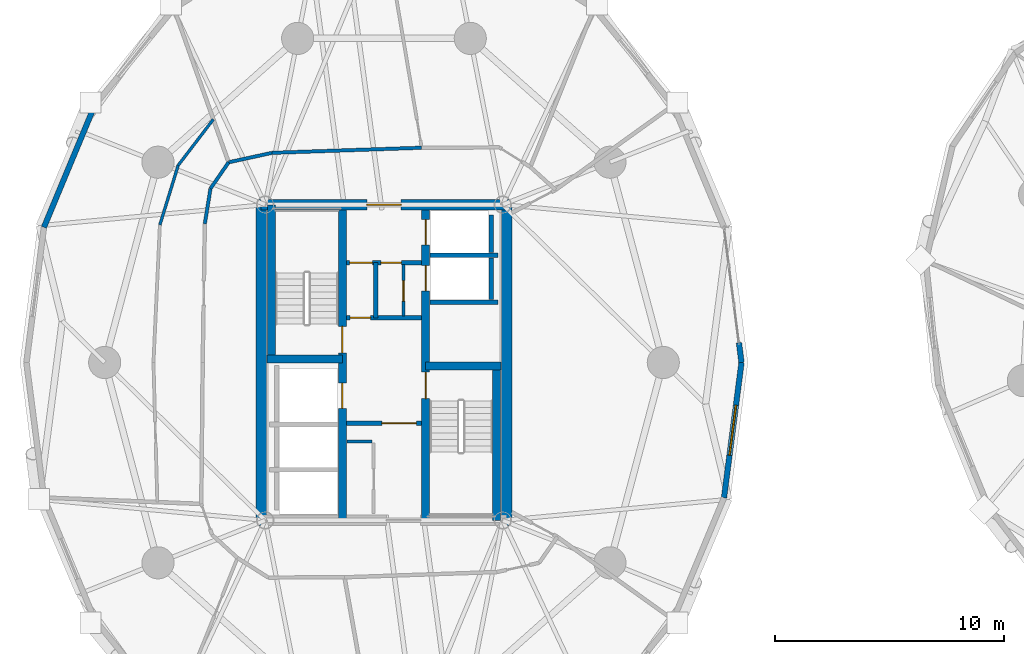
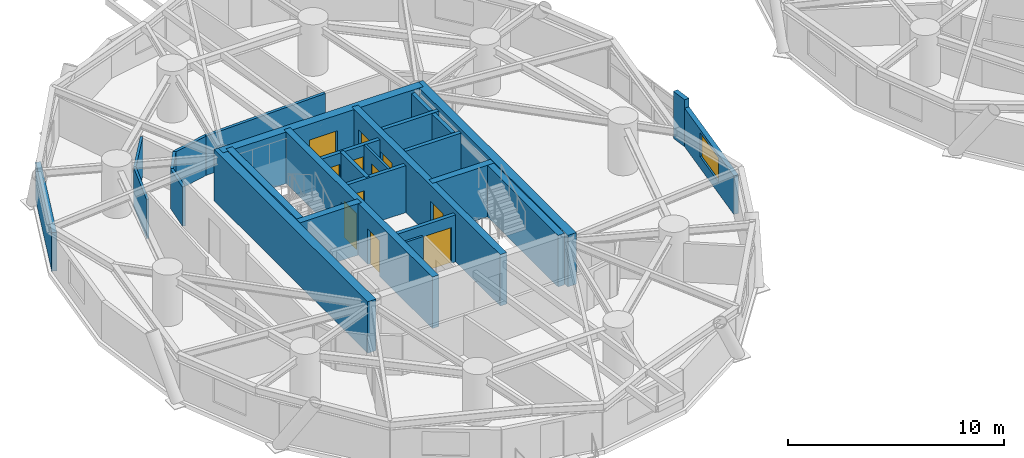
# One storey, part 11 of 18: 28 walls, 11 doors, 1 window, 12 openings.
"""IFC4 building model written with IfcOpenShell, lengths in metres."""

from ifc_helpers import new_model, si_unit, direction, frame, frame_2d, origin, place, context, subcontext, project, spatial, rectangle, extrude, source, transform, mapped, material, layer, layer_set, type_object, element, fill, save


model = new_model("IFC4")

# Units and contexts
model_context = context("Model", 3, precision=1e-05, world=origin(), true_north=direction((0.0, 1.0)))
body_context = subcontext(model_context, "Body", "Model", "MODEL_VIEW")
ifc_project = project(units=[si_unit("LENGTHUNIT", "METRE"), si_unit("AREAUNIT", "SQUARE_METRE"), si_unit("VOLUMEUNIT", "CUBIC_METRE"), si_unit("PLANEANGLEUNIT", "RADIAN"), si_unit("MASSUNIT", "GRAM", prefix="KILO")], contexts=[model_context])

# Site, building, storey
site_placement = place(None, origin())
site = spatial("IfcSite", under=ifc_project, at=site_placement, CompositionType="ELEMENT")
building_placement = place(site_placement, origin())
building = spatial("IfcBuilding", under=site, at=building_placement, Name="Cununo Teusaquillo Station Towers", CompositionType="ELEMENT")
storey_placement = place(building_placement, frame((0.0, 0.0, 119.6201171875)))
storey = spatial("IfcBuildingStorey", under=building, at=storey_placement, Name="L38", CompositionType="ELEMENT", Elevation=119.6201171875)

# Walls
ifc_material_1 = material(Name="Concrete C50/60", Category="concrete")
ifc_layer_1 = layer(ifc_material_1, 0.199951171875)
ifc_layer_set_1 = layer_set([ifc_layer_1], Name="Concrete C50/60")
wall_type_1 = type_object("IfcWallType", Name="WL-CORE-200", PredefinedType="SHEAR", material=ifc_layer_set_1)
for number, where, z_axis, x_axis, name in (
    (1, (18.510009765625, 27.1298828125, 0.0), (0.0, 0.0, 1.0), (1.0, 0.0, 0.0), "L38 Tower A Low-Rise Lift Hoistway South Shear Wall"),
    (2, (18.510009765625, 29.175048828125, 0.0), (0.0, 0.0, 1.0), (1.0, 0.0, 0.0), "L38 Tower A Low-Rise Lift Hoistway Divider Shear Wall"),
):
    element("IfcWall", number, at=place(storey_placement, frame(where, z_axis=z_axis, x_axis=x_axis)), inside=storey, type_object=wall_type_1, Name=name, PredefinedType="SHEAR", context=body_context, shape_type="SweptSolid", body=[
        extrude(rectangle(XDim=2.969970703125, YDim=0.199951171875, at=frame_2d((1.48486328125, 0.0))), origin(), (0.0, 0.0, 1.0), 2.909912109375),
    ])
wall_1_placement = place(storey_placement, frame((21.179931640625, 27.25, 0.0), z_axis=(0.0, 0.0, 1.0), x_axis=(0.0, 1.0, 0.0)))
element("IfcWall", 3, at=wall_1_placement, inside=storey, type_object=wall_type_1, Name="L38 Tower A Low-Rise Lift 1 Shaft Rear Shear Wall", PredefinedType="SHEAR", context=body_context, shape_type="SweptSolid", body=[
    extrude(rectangle(XDim=1.804931640625, YDim=0.199951171875, at=frame_2d((0.90234375, 0.0))), origin(), (0.0, 0.0, 1.0), 2.909912109375),
])
wall_2_placement = place(storey_placement, frame((21.179931640625, 29.294921875, 0.0), z_axis=(0.0, 0.0, 1.0), x_axis=(0.0, 1.0, 0.0)))
element("IfcWall", 4, at=wall_2_placement, inside=storey, type_object=wall_type_1, Name="L38 Tower A Low-Rise Lift 2 Shaft Rear Shear Wall", PredefinedType="SHEAR", context=body_context, shape_type="SweptSolid", body=[
    extrude(rectangle(XDim=1.635009765625, YDim=0.199951171875, at=frame_2d((0.8173828125, 0.0))), origin(), (0.0, 0.0, 1.0), 2.909912109375),
])

# Wall, openings, doors
ifc_material_2 = material(Name="Concrete C50/60", Category="concrete")
ifc_layer_2 = layer(ifc_material_2, 0.35009765625)
ifc_layer_set_2 = layer_set([ifc_layer_2], Name="Concrete C50/60")
wall_type_2 = type_object("IfcWallType", Name="WL-CORE-350", PredefinedType="SHEAR", material=ifc_layer_set_2)
wall_3_placement = place(storey_placement, frame((14.68505859375, 17.625, 0.0), z_axis=(0.0, 0.0, 1.0), x_axis=(0.0, 1.0, 0.0)))
wall_3 = element("IfcWall", 5, at=wall_3_placement, inside=storey, type_object=wall_type_2, Name="L38 Tower A Core Shear Wall IW", PredefinedType="SHEAR", context=body_context, shape_type="SweptSolid", body=[
    extrude(rectangle(XDim=13.75, YDim=0.35009765625, at=frame_2d((6.875, 0.0))), origin(), (0.0, 0.0, 1.0), 2.909912109375),
])
shared_shape_1 = source(origin(), body_context, "Body", "SweptSolid", [
    extrude(rectangle(XDim=1.10009765625, YDim=2.014892578125, at=frame_2d((0.550048828125, 1.00732421875))), frame((0.0, 0.18505859375, 0.0), z_axis=(0.0, -1.0, 0.0), x_axis=(1.0, 0.0, 0.0)), (0.0, 0.0, 1.0), 0.3701171875),
])
opening_1_placement = place(wall_3_placement, frame((4.875, 0.0, 0.0)))
opening_1 = element("IfcOpeningElement", 6, at=opening_1_placement, cuts=wall_3, Name="Opening LD-01", PredefinedType="OPENING", context=body_context, shape_type="MappedRepresentation", body=[
    mapped(shared_shape_1, transform((0.0, 0.0, 0.0), x_axis=(1.0, 0.0, 0.0), y_axis=(0.0, 1.0, 0.0), z_axis=(0.0, 0.0, 1.0), scale=1.0)),
])
shared_shape_2 = source(origin(), body_context, "Body", "SweptSolid", [
    extrude(rectangle(XDim=1.14990234375, YDim=2.02001953125, at=frame_2d((0.574951171875, 1.010009765625))), frame((0.0, 0.18505859375, 0.0), z_axis=(0.0, -1.0, 0.0), x_axis=(1.0, 0.0, 0.0)), (0.0, 0.0, 1.0), 0.3701171875),
])
opening_2_placement = place(wall_3_placement, frame((7.294921875, 0.0, 0.0)))
opening_2 = element("IfcOpeningElement", 7, at=opening_2_placement, cuts=wall_3, Name="Opening D-ST1", PredefinedType="OPENING", context=body_context, shape_type="MappedRepresentation", body=[
    mapped(shared_shape_2, transform((0.0, 0.0, 0.0), x_axis=(1.0, 0.0, 0.0), y_axis=(0.0, 1.0, 0.0), z_axis=(0.0, 0.0, 1.0), scale=1.0)),
])
ifc_material_3 = material(Name="Galvanised fire-rated hollow steel door assembly", Category="steel")
door_type_1 = type_object("IfcDoorType", Name="DR-LIFT-1100", OperationType="SLIDING_TO_LEFT", PredefinedType="DOOR", material=ifc_material_3)
shared_shape_3 = source(origin(), body_context, "Body", "SweptSolid", [
    extrude(rectangle(XDim=1.10009765625, YDim=2.014892578125, at=frame_2d((0.550048828125, 1.00732421875))), frame((0.0, 0.02490234375, 0.0), z_axis=(0.0, -1.0, 0.0), x_axis=(1.0, 0.0, 0.0)), (0.0, 0.0, 1.0), 0.050048828125),
])
door_1_placement = place(opening_1_placement, origin())
door_1 = element("IfcDoor", 8, at=door_1_placement, inside=storey, type_object=door_type_1, Name="L38 Lift FL-T1 Sliding Landing Door", OperationType="SLIDING_TO_LEFT", OverallHeight=2.014892578125, OverallWidth=1.10009765625, PredefinedType="DOOR", context=body_context, shape_type="MappedRepresentation", body=[
    mapped(shared_shape_3, transform((0.0, 0.0, 0.0), x_axis=(1.0, 0.0, 0.0), y_axis=(0.0, 1.0, 0.0), z_axis=(0.0, 0.0, 1.0), scale=1.0)),
])
fill(opening_1, door_1)
ifc_material_4 = material(Name="Galvanised fire-rated hollow steel door assembly", Category="steel")
door_type_2 = type_object("IfcDoorType", Name="DR-STAIR-1150", OperationType="NOTDEFINED", PredefinedType="DOOR", material=ifc_material_4)
shared_shape_4 = source(origin(), body_context, "Body", "SweptSolid", [
    extrude(rectangle(XDim=1.14990234375, YDim=2.02001953125, at=frame_2d((0.574951171875, 1.010009765625))), frame((0.0, 0.02490234375, 0.0), z_axis=(0.0, -1.0, 0.0), x_axis=(1.0, 0.0, 0.0)), (0.0, 0.0, 1.0), 0.050048828125),
])
door_2_placement = place(opening_2_placement, origin())
door_2 = element("IfcDoor", 9, at=door_2_placement, inside=storey, type_object=door_type_2, Name="L38 Tower A Exit Stair 1 Fire Door", OperationType="SINGLE_SWING_RIGHT", OverallHeight=2.02001953125, OverallWidth=1.14990234375, PredefinedType="DOOR", context=body_context, shape_type="MappedRepresentation", body=[
    mapped(shared_shape_4, transform((0.0, 0.0, 0.0), x_axis=(1.0, 0.0, 0.0), y_axis=(0.0, 1.0, 0.0), z_axis=(0.0, 0.0, 1.0), scale=1.0)),
])
fill(opening_2, door_2)

wall_4_placement = place(storey_placement, frame((18.31494140625, 17.625, 0.0), z_axis=(0.0, 0.0, 1.0), x_axis=(0.0, 1.0, 0.0)))
wall_4 = element("IfcWall", 10, at=wall_4_placement, inside=storey, type_object=wall_type_2, Name="L38 Tower A Core Shear Wall IE", PredefinedType="SHEAR", context=body_context, shape_type="SweptSolid", body=[
    extrude(rectangle(XDim=13.75, YDim=0.35009765625, at=frame_2d((6.875, 0.0))), origin(), (0.0, 0.0, 1.0), 2.909912109375),
])
opening_3_placement = place(wall_4_placement, frame((10.0, 0.0, 0.0)))
opening_3 = element("IfcOpeningElement", 11, at=opening_3_placement, cuts=wall_4, Name="Opening LD-01", PredefinedType="OPENING", context=body_context, shape_type="MappedRepresentation", body=[
    mapped(shared_shape_1, transform((0.0, 0.0, 0.0), x_axis=(1.0, 0.0, 0.0), y_axis=(0.0, 1.0, 0.0), z_axis=(0.0, 0.0, 1.0), scale=1.0)),
])
opening_4_placement = place(wall_4_placement, frame((12.0, 0.0, 0.0)))
opening_4 = element("IfcOpeningElement", 12, at=opening_4_placement, cuts=wall_4, Name="Opening LD-01", PredefinedType="OPENING", context=body_context, shape_type="MappedRepresentation", body=[
    mapped(shared_shape_1, transform((0.0, 0.0, 0.0), x_axis=(1.0, 0.0, 0.0), y_axis=(0.0, 1.0, 0.0), z_axis=(0.0, 0.0, 1.0), scale=1.0)),
])
opening_5_placement = place(wall_4_placement, frame((5.304931640625, 0.0, 0.0)))
opening_5 = element("IfcOpeningElement", 13, at=opening_5_placement, cuts=wall_4, Name="Opening D-ST1", PredefinedType="OPENING", context=body_context, shape_type="MappedRepresentation", body=[
    mapped(shared_shape_2, transform((0.0, 0.0, 0.0), x_axis=(1.0, 0.0, 0.0), y_axis=(0.0, 1.0, 0.0), z_axis=(0.0, 0.0, 1.0), scale=1.0)),
])
door_3_placement = place(opening_3_placement, origin())
door_3 = element("IfcDoor", 14, at=door_3_placement, inside=storey, type_object=door_type_1, Name="L38 Lift PL-T1-L1 Sliding Landing Door", OperationType="SLIDING_TO_LEFT", OverallHeight=2.014892578125, OverallWidth=1.10009765625, PredefinedType="DOOR", context=body_context, shape_type="MappedRepresentation", body=[
    mapped(shared_shape_3, transform((0.0, 0.0, 0.0), x_axis=(1.0, 0.0, 0.0), y_axis=(0.0, 1.0, 0.0), z_axis=(0.0, 0.0, 1.0), scale=1.0)),
])
fill(opening_3, door_3)
door_4_placement = place(opening_4_placement, origin())
door_4 = element("IfcDoor", 15, at=door_4_placement, inside=storey, type_object=door_type_1, Name="L38 Lift PL-T1-L2 Sliding Landing Door", OperationType="SLIDING_TO_RIGHT", OverallHeight=2.014892578125, OverallWidth=1.10009765625, PredefinedType="DOOR", context=body_context, shape_type="MappedRepresentation", body=[
    mapped(shared_shape_3, transform((0.0, 0.0, 0.0), x_axis=(1.0, 0.0, 0.0), y_axis=(0.0, 1.0, 0.0), z_axis=(0.0, 0.0, 1.0), scale=1.0)),
])
fill(opening_4, door_4)
door_5_placement = place(opening_5_placement, origin())
door_5 = element("IfcDoor", 16, at=door_5_placement, inside=storey, type_object=door_type_2, Name="L38 Tower A Exit Stair 2 Fire Door", OperationType="SINGLE_SWING_LEFT", OverallHeight=2.02001953125, OverallWidth=1.14990234375, PredefinedType="DOOR", context=body_context, shape_type="MappedRepresentation", body=[
    mapped(shared_shape_4, transform((0.0, 0.0, 0.0), x_axis=(1.0, 0.0, 0.0), y_axis=(0.0, 1.0, 0.0), z_axis=(0.0, 0.0, 1.0), scale=1.0)),
])
fill(opening_5, door_5)

# Walls
wall_5_placement = place(storey_placement, frame((11.594970703125, 24.655029296875, 0.0), z_axis=(0.0, 0.0, 1.0), x_axis=(0.0, 1.0, 0.0)))
element("IfcWall", 17, at=wall_5_placement, inside=storey, type_object=wall_type_2, Name="L38 Tower A Core Shear Wall ST1W", PredefinedType="SHEAR", context=body_context, shape_type="SweptSolid", body=[
    extrude(rectangle(XDim=6.719970703125, YDim=0.35009765625, at=frame_2d((3.35986328125, 0.0))), origin(), (0.0, 0.0, 1.0), 2.909912109375),
])
wall_6_placement = place(storey_placement, frame((11.39990234375, 24.655029296875, 0.0), z_axis=(0.0, 0.0, 1.0), x_axis=(1.0, 0.0, 0.0)))
element("IfcWall", 18, at=wall_6_placement, inside=storey, type_object=wall_type_2, Name="L38 Tower A Core Shear Wall ST1S", PredefinedType="SHEAR", context=body_context, shape_type="SweptSolid", body=[
    extrude(rectangle(XDim=3.28515625, YDim=0.35009765625, at=frame_2d((1.642578125, 0.0))), origin(), (0.0, 0.0, 1.0), 2.909912109375),
])
wall_7_placement = place(storey_placement, frame((21.405029296875, 17.625, 0.0), z_axis=(0.0, 0.0, 1.0), x_axis=(0.0, 1.0, 0.0)))
element("IfcWall", 19, at=wall_7_placement, inside=storey, type_object=wall_type_2, Name="L38 Tower A Core Shear Wall ST2E", PredefinedType="SHEAR", context=body_context, shape_type="SweptSolid", body=[
    extrude(rectangle(XDim=6.719970703125, YDim=0.35009765625, at=frame_2d((3.35986328125, 0.0))), origin(), (0.0, 0.0, 1.0), 2.909912109375),
])
wall_8_placement = place(storey_placement, frame((18.31494140625, 24.344970703125, 0.0), z_axis=(0.0, 0.0, 1.0), x_axis=(1.0, 0.0, 0.0)))
element("IfcWall", 20, at=wall_8_placement, inside=storey, type_object=wall_type_2, Name="L38 Tower A Core Shear Wall ST2N", PredefinedType="SHEAR", context=body_context, shape_type="SweptSolid", body=[
    extrude(rectangle(XDim=3.28515625, YDim=0.35009765625, at=frame_2d((1.642578125, 0.0))), origin(), (0.0, 0.0, 1.0), 2.909912109375),
])
ifc_material_5 = material(Name="Concrete C60/75", Category="concrete")
ifc_layer_3 = layer(ifc_material_5, 0.449951171875)
ifc_layer_set_3 = layer_set([ifc_layer_3], Name="Concrete C60/75")
wall_type_3 = type_object("IfcWallType", Name="WL-CORE-450", PredefinedType="SHEAR", material=ifc_layer_set_3)
for number, where, z_axis, x_axis, name in (
    (21, (11.14990234375, 17.39990234375, 0.0), (0.0, 0.0, 1.0), (0.0, 1.0, 0.0), "L38 Tower A Core Shear Wall W"),
    (22, (21.85009765625, 17.39990234375, 0.0), (0.0, 0.0, 1.0), (0.0, 1.0, 0.0), "L38 Tower A Core Shear Wall E"),
):
    element("IfcWall", number, at=place(storey_placement, frame(where, z_axis=z_axis, x_axis=x_axis)), inside=storey, type_object=wall_type_3, Name=name, PredefinedType="SHEAR", context=body_context, shape_type="SweptSolid", body=[
        extrude(rectangle(XDim=14.2001953125, YDim=0.449951171875, at=frame_2d((7.10009765625, 0.0))), origin(), (0.0, 0.0, 1.0), 2.909912109375),
    ])

# Wall, opening, door
wall_9_placement = place(storey_placement, frame((11.14990234375, 31.375, 0.0), z_axis=(0.0, 0.0, 1.0), x_axis=(1.0, 0.0, 0.0)))
wall_9 = element("IfcWall", 23, at=wall_9_placement, inside=storey, type_object=wall_type_3, Name="L38 Tower A Core Shear Wall N", PredefinedType="SHEAR", context=body_context, shape_type="SweptSolid", body=[
    extrude(rectangle(XDim=10.7001953125, YDim=0.449951171875, at=frame_2d((5.35009765625, 0.0))), origin(), (0.0, 0.0, 1.0), 2.909912109375),
])
shared_shape_5 = source(origin(), body_context, "Body", "SweptSolid", [
    extrude(rectangle(XDim=1.5, YDim=2.02001953125, at=frame_2d((0.75, 1.010009765625))), frame((0.0, 0.23486328125, 0.0), z_axis=(0.0, -1.0, 0.0), x_axis=(1.0, 0.0, 0.0)), (0.0, 0.0, 1.0), 0.469970703125),
])
opening_6_placement = place(wall_9_placement, frame((4.60009765625, 0.0, 0.0)))
opening_6 = element("IfcOpeningElement", 24, at=opening_6_placement, cuts=wall_9, Name="Opening D-LB1", PredefinedType="OPENING", context=body_context, shape_type="MappedRepresentation", body=[
    mapped(shared_shape_5, transform((0.0, 0.0, 0.0), x_axis=(1.0, 0.0, 0.0), y_axis=(0.0, 1.0, 0.0), z_axis=(0.0, 0.0, 1.0), scale=1.0)),
])
ifc_material_6 = material(Name="Galvanised fire-rated hollow steel door assembly", Category="steel")
door_type_3 = type_object("IfcDoorType", Name="DR-LOBBY-1500", OperationType="DOUBLE_DOOR_SINGLE_SWING", PredefinedType="DOOR", material=ifc_material_6)
shared_shape_6 = source(origin(), body_context, "Body", "SweptSolid", [
    extrude(rectangle(XDim=1.5, YDim=2.02001953125, at=frame_2d((0.75, 1.010009765625))), frame((0.0, 0.02490234375, 0.0), z_axis=(0.0, -1.0, 0.0), x_axis=(1.0, 0.0, 0.0)), (0.0, 0.0, 1.0), 0.050048828125),
])
door_6_placement = place(opening_6_placement, origin())
door_6 = element("IfcDoor", 25, at=door_6_placement, inside=storey, type_object=door_type_3, Name="L38 Tower A North Core Lift Lobby Door", OperationType="DOUBLE_DOOR_SINGLE_SWING", OverallHeight=2.02001953125, OverallWidth=1.5, PredefinedType="DOOR", context=body_context, shape_type="MappedRepresentation", body=[
    mapped(shared_shape_6, transform((0.0, 0.0, 0.0), x_axis=(1.0, 0.0, 0.0), y_axis=(0.0, 1.0, 0.0), z_axis=(0.0, 0.0, 1.0), scale=1.0)),
])
fill(opening_6, door_6)

# Walls
ifc_material_7 = material(Name="Precast concrete C40/50", Category="concrete")
ifc_layer_4 = layer(ifc_material_7, 0.239990234375)
ifc_layer_set_4 = layer_set([ifc_layer_4], Name="Precast concrete C40/50")
wall_type_4 = type_object("IfcWallType", Name="WL-EXT-240", PredefinedType="SOLIDWALL", material=ifc_layer_set_4)
wall_10_placement = place(storey_placement, frame((31.96923828125, 25.36279296875, 0.0), z_axis=(0.0, 0.0, 1.0), x_axis=(0.128523364007, -0.991706481225, 0.0)))
element("IfcWall", 26, at=wall_10_placement, inside=storey, type_object=wall_type_4, Name="L38 Tower A Column Pier Cladding Wall C00-PB", PredefinedType="SOLIDWALL", context=body_context, shape_type="SweptSolid", body=[
    extrude(rectangle(XDim=0.8701171875, YDim=0.239990234375, at=frame_2d((0.43505859375, 0.0))), origin(), (0.0, 0.0, 1.0), 2.65478515625),
])
wall_11_placement = place(storey_placement, frame((1.681640625, 30.39306640625, 0.0), z_axis=(0.0, 0.0, 1.0), x_axis=(0.384344417632, 0.923189779317, 0.0)))
element("IfcWall", 27, at=wall_11_placement, inside=storey, type_object=wall_type_4, Name="L38 Tower A Exterior Facade Wall C08", PredefinedType="SOLIDWALL", context=body_context, shape_type="SweptSolid", body=[
    extrude(rectangle(XDim=5.75830078125, YDim=0.239990234375, at=frame_2d((2.879150390625, 0.0))), origin(), (0.0, 0.0, 1.0), 2.178955078125),
])

# Wall, opening, window
wall_12_placement = place(storey_placement, frame((32.0810546875, 24.5, 0.0), z_axis=(0.0, 0.0, 1.0), x_axis=(-0.128351991996, -0.991728675672, 0.0)))
wall_12 = element("IfcWall", 28, at=wall_12_placement, inside=storey, type_object=wall_type_4, Name="L38 Tower A Exterior Facade Wall C19", PredefinedType="SOLIDWALL", context=body_context, shape_type="SweptSolid", body=[
    extrude(rectangle(XDim=5.942138671875, YDim=0.239990234375, at=frame_2d((2.97119140625, 0.0))), origin(), (0.0, 0.0, 1.0), 2.178955078125),
])
shared_shape_7 = source(origin(), body_context, "Body", "SweptSolid", [
    extrude(rectangle(XDim=2.199951171875, YDim=1.35009765625, at=frame_2d((1.10009765625, 0.675048828125))), frame((0.0, 0.1298828125, 0.0), z_axis=(0.0, -1.0, 0.0), x_axis=(1.0, 0.0, 0.0)), (0.0, 0.0, 1.0), 0.260009765625),
])
opening_7_placement = place(wall_12_placement, frame((1.87109375, 0.0, 0.64990234375)))
opening_7 = element("IfcOpeningElement", 29, at=opening_7_placement, cuts=wall_12, Name="Opening WN-01", PredefinedType="OPENING", context=body_context, shape_type="MappedRepresentation", body=[
    mapped(shared_shape_7, transform((0.0, 0.0, 0.0), x_axis=(1.0, 0.0, 0.0), y_axis=(0.0, 1.0, 0.0), z_axis=(0.0, 0.0, 1.0), scale=1.0)),
])
ifc_material_8 = material(Name="Ceramic-fritted dark low-E double glazing", Category="glass")
window_type = type_object("IfcWindowType", Name="WIN-FRIT-2200", PartitioningType="DOUBLE_PANEL_VERTICAL", PredefinedType="WINDOW", material=ifc_material_8)
shared_shape_8 = source(origin(), body_context, "Body", "SweptSolid", [
    extrude(rectangle(XDim=2.199951171875, YDim=1.35009765625, at=frame_2d((1.10009765625, 0.675048828125))), frame((0.0, 0.030029296875, 0.0), z_axis=(0.0, -1.0, 0.0), x_axis=(1.0, 0.0, 0.0)), (0.0, 0.0, 1.0), 0.06005859375),
])
window_placement = place(opening_7_placement, origin())
window = element("IfcWindow", 30, at=window_placement, inside=storey, type_object=window_type, Name="L38 Tower A Facade Window C19", OverallHeight=1.35009765625, OverallWidth=2.199951171875, PartitioningType="DOUBLE_PANEL_VERTICAL", PredefinedType="WINDOW", context=body_context, shape_type="MappedRepresentation", body=[
    mapped(shared_shape_8, transform((0.0, 0.0, 0.0), x_axis=(1.0, 0.0, 0.0), y_axis=(0.0, 1.0, 0.0), z_axis=(0.0, 0.0, 1.0), scale=1.0)),
])
fill(opening_7, window)

# Wall
ifc_material_9 = material(Name="Fire-rated gypsum plasterboard partition assembly", Category="gypsum")
ifc_layer_5 = layer(ifc_material_9, 0.125)
ifc_layer_set_5 = layer_set([ifc_layer_5], Name="Fire-rated gypsum plasterboard partition assembly")
wall_type_5 = type_object("IfcWallType", Name="WL-PART-125", PredefinedType="PARTITIONING", material=ifc_layer_set_5)
wall_13_placement = place(storey_placement, frame((14.8798828125, 21.050048828125, 0.0), z_axis=(0.0, 0.0, 1.0), x_axis=(1.0, 0.0, 0.0)))
element("IfcWall", 31, at=wall_13_placement, inside=storey, type_object=wall_type_5, Name="L38 Tower A South-West Tall Store North Wall", PredefinedType="PARTITIONING", context=body_context, shape_type="SweptSolid", body=[
    extrude(rectangle(XDim=1.10009765625, YDim=0.125, at=frame_2d((0.550048828125, 0.0))), origin(), (0.0, 0.0, 1.0), 2.65478515625),
])

# Wall, opening, door
wall_14_placement = place(storey_placement, frame((17.35009765625, 26.52001953125, 0.0), z_axis=(0.0, 0.0, 1.0), x_axis=(0.0, 1.0, 0.0)))
wall_14 = element("IfcWall", 32, at=wall_14_placement, inside=storey, type_object=wall_type_5, Name="L38 Tower A Core Vertical Split Wall", PredefinedType="PARTITIONING", context=body_context, shape_type="SweptSolid", body=[
    extrude(rectangle(XDim=2.260009765625, YDim=0.125, at=frame_2d((1.1298828125, 0.0))), origin(), (0.0, 0.0, 1.0), 2.65478515625),
])
shared_shape_9 = source(origin(), body_context, "Body", "SweptSolid", [
    extrude(rectangle(XDim=0.89990234375, YDim=2.0048828125, at=frame_2d((0.449951171875, 1.00244140625))), frame((0.0, 0.072509765625, 0.0), z_axis=(0.0, -1.0, 0.0), x_axis=(1.0, 0.0, 0.0)), (0.0, 0.0, 1.0), 0.14501953125),
])
opening_8_placement = place(wall_14_placement, frame((0.64990234375, 0.0, 0.0)))
opening_8 = element("IfcOpeningElement", 33, at=opening_8_placement, cuts=wall_14, Name="Opening D-SR1", PredefinedType="OPENING", context=body_context, shape_type="MappedRepresentation", body=[
    mapped(shared_shape_9, transform((0.0, 0.0, 0.0), x_axis=(1.0, 0.0, 0.0), y_axis=(0.0, 1.0, 0.0), z_axis=(0.0, 0.0, 1.0), scale=1.0)),
])
ifc_material_10 = material(Name="Galvanised fire-rated hollow steel door assembly", Category="steel")
door_type_4 = type_object("IfcDoorType", Name="DR-STORE-900", OperationType="NOTDEFINED", PredefinedType="DOOR", material=ifc_material_10)
shared_shape_10 = source(origin(), body_context, "Body", "SweptSolid", [
    extrude(rectangle(XDim=0.89990234375, YDim=2.0048828125, at=frame_2d((0.449951171875, 1.00244140625))), frame((0.0, 0.02490234375, 0.0), z_axis=(0.0, -1.0, 0.0), x_axis=(1.0, 0.0, 0.0)), (0.0, 0.0, 1.0), 0.050048828125),
])
door_7_placement = place(opening_8_placement, origin())
door_7 = element("IfcDoor", 34, at=door_7_placement, inside=storey, type_object=door_type_4, Name="L38 Tower A Core Electrical Room Door", OperationType="SINGLE_SWING_RIGHT", OverallHeight=2.0048828125, OverallWidth=0.89990234375, PredefinedType="DOOR", context=body_context, shape_type="MappedRepresentation", body=[
    mapped(shared_shape_10, transform((0.0, 0.0, 0.0), x_axis=(1.0, 0.0, 0.0), y_axis=(0.0, 1.0, 0.0), z_axis=(0.0, 0.0, 1.0), scale=1.0)),
])
fill(opening_8, door_7)

# Walls
wall_15_placement = place(storey_placement, frame((9.064208984375, 35.09716796875, 0.0), z_axis=(0.0, 0.0, 1.0), x_axis=(-0.607126893664, -0.794604892377, 0.0)))
element("IfcWall", 35, at=wall_15_placement, inside=storey, type_object=wall_type_5, Name="L38 Tower A Corporate Strategy Boardroom Concentric Partition Wall C07", PredefinedType="PARTITIONING", context=body_context, shape_type="SweptSolid", body=[
    extrude(rectangle(XDim=2.523681640625, YDim=0.125, at=frame_2d((1.26171875, 0.0))), origin(), (0.0, 0.0, 1.0), 2.178955078125),
])
wall_16_placement = place(storey_placement, frame((7.531982421875, 33.091796875, 0.0), z_axis=(0.0, 0.0, 1.0), x_axis=(-0.293965637063, -0.955815988685, 0.0)))
element("IfcWall", 36, at=wall_16_placement, inside=storey, type_object=wall_type_5, Name="L38 Tower A Corporate Strategy Boardroom Concentric Partition Wall C08", PredefinedType="PARTITIONING", context=body_context, shape_type="SweptSolid", body=[
    extrude(rectangle(XDim=2.711669921875, YDim=0.125, at=frame_2d((1.35595703125, 0.0))), origin(), (0.0, 0.0, 1.0), 2.224853515625),
])
ifc_material_11 = material(Name="Fire-rated gypsum plasterboard partition assembly", Category="gypsum")
ifc_layer_6 = layer(ifc_material_11, 0.14990234375)
ifc_layer_set_6 = layer_set([ifc_layer_6], Name="Fire-rated gypsum plasterboard partition assembly")
wall_type_6 = type_object("IfcWallType", Name="WL-PART-150", PredefinedType="PARTITIONING", material=ifc_layer_set_6)
wall_17_placement = place(storey_placement, frame((18.142822265625, 33.859619140625, 0.0), z_axis=(0.0, 0.0, 1.0), x_axis=(-0.999419208319, -0.034077060363, 0.0)))
element("IfcWall", 37, at=wall_17_placement, inside=storey, type_object=wall_type_6, Name="L38 Tower A Corridor Ring Wall C05", PredefinedType="PARTITIONING", context=body_context, shape_type="SweptSolid", body=[
    extrude(rectangle(XDim=6.52685546875, YDim=0.14990234375, at=frame_2d((3.263427734375, 0.0))), origin(), (0.0, 0.0, 1.0), 2.224853515625),
])
wall_18_placement = place(storey_placement, frame((11.619873046875, 33.63720703125, 0.0), z_axis=(0.0, 0.0, 1.0), x_axis=(-0.97702579435, -0.213121085711, 0.0)))
element("IfcWall", 38, at=wall_18_placement, inside=storey, type_object=wall_type_6, Name="L38 Tower A Corridor Ring Wall C06", PredefinedType="PARTITIONING", context=body_context, shape_type="SweptSolid", body=[
    extrude(rectangle(XDim=1.934814453125, YDim=0.14990234375, at=frame_2d((0.96728515625, 0.0))), origin(), (0.0, 0.0, 1.0), 2.224853515625),
])
wall_19_placement = place(storey_placement, frame((9.7294921875, 33.224853515625, 0.0), z_axis=(0.0, 0.0, 1.0), x_axis=(-0.567183649484, -0.82359134755, 0.0)))
element("IfcWall", 39, at=wall_19_placement, inside=storey, type_object=wall_type_6, Name="L38 Tower A Corridor Ring Wall C07", PredefinedType="PARTITIONING", context=body_context, shape_type="SweptSolid", body=[
    extrude(rectangle(XDim=1.39208984375, YDim=0.14990234375, at=frame_2d((0.696044921875, 0.0))), origin(), (0.0, 0.0, 1.0), 2.224853515625),
])
wall_20_placement = place(storey_placement, frame((8.93994140625, 32.078369140625, 0.0), z_axis=(0.0, 0.0, 1.0), x_axis=(-0.159148467753, -0.98725466077, 0.0)))
element("IfcWall", 40, at=wall_20_placement, inside=storey, type_object=wall_type_6, Name="L38 Tower A Corridor Ring Wall C08", PredefinedType="PARTITIONING", context=body_context, shape_type="SweptSolid", body=[
    extrude(rectangle(XDim=1.553955078125, YDim=0.14990234375, at=frame_2d((0.77685546875, 0.0))), origin(), (0.0, 0.0, 1.0), 2.224853515625),
])

# Wall, opening, door
ifc_material_12 = material(Name="Fire-rated gypsum plasterboard partition assembly", Category="gypsum")
ifc_layer_7 = layer(ifc_material_12, 0.199951171875)
ifc_layer_set_7 = layer_set([ifc_layer_7], Name="Fire-rated gypsum plasterboard partition assembly")
wall_type_7 = type_object("IfcWallType", Name="WL-PART-200", PredefinedType="PARTITIONING", material=ifc_layer_set_7)
wall_21_placement = place(storey_placement, frame((14.860107421875, 21.85009765625, 0.0), z_axis=(0.0, 0.0, 1.0), x_axis=(1.0, 0.0, 0.0)))
wall_21 = element("IfcWall", 41, at=wall_21_placement, inside=storey, type_object=wall_type_7, Name="L38 Tower A Firefighting Lift Lobby South Fire Wall", PredefinedType="PARTITIONING", context=body_context, shape_type="SweptSolid", body=[
    extrude(rectangle(XDim=3.27978515625, YDim=0.199951171875, at=frame_2d((1.639892578125, 0.0))), origin(), (0.0, 0.0, 1.0), 2.65478515625),
])
shared_shape_11 = source(origin(), body_context, "Body", "SweptSolid", [
    extrude(rectangle(XDim=1.5, YDim=2.02001953125, at=frame_2d((0.75, 1.010009765625))), frame((0.0, 0.10986328125, 0.0), z_axis=(0.0, -1.0, 0.0), x_axis=(1.0, 0.0, 0.0)), (0.0, 0.0, 1.0), 0.219970703125),
])
opening_9_placement = place(wall_21_placement, frame((1.550048828125, 0.0, 0.0)))
opening_9 = element("IfcOpeningElement", 42, at=opening_9_placement, cuts=wall_21, Name="Opening D-LB1", PredefinedType="OPENING", context=body_context, shape_type="MappedRepresentation", body=[
    mapped(shared_shape_11, transform((0.0, 0.0, 0.0), x_axis=(1.0, 0.0, 0.0), y_axis=(0.0, 1.0, 0.0), z_axis=(0.0, 0.0, 1.0), scale=1.0)),
])
door_8_placement = place(opening_9_placement, origin())
door_8 = element("IfcDoor", 43, at=door_8_placement, inside=storey, type_object=door_type_3, Name="L38 Tower A Firefighting Lift Lobby South Fire Door", OperationType="DOUBLE_DOOR_SINGLE_SWING", OverallHeight=2.02001953125, OverallWidth=1.5, PredefinedType="DOOR", context=body_context, shape_type="MappedRepresentation", body=[
    mapped(shared_shape_6, transform((0.0, 0.0, 0.0), x_axis=(1.0, 0.0, 0.0), y_axis=(0.0, 1.0, 0.0), z_axis=(0.0, 0.0, 1.0), scale=1.0)),
])
fill(opening_9, door_8)

wall_22_placement = place(storey_placement, frame((14.860107421875, 26.449951171875, 0.0), z_axis=(0.0, 0.0, 1.0), x_axis=(1.0, 0.0, 0.0)))
wall_22 = element("IfcWall", 44, at=wall_22_placement, inside=storey, type_object=wall_type_7, Name="L38 Tower A Firefighting Lift Lobby North Fire Wall", PredefinedType="PARTITIONING", context=body_context, shape_type="SweptSolid", body=[
    extrude(rectangle(XDim=3.27978515625, YDim=0.199951171875, at=frame_2d((1.639892578125, 0.0))), origin(), (0.0, 0.0, 1.0), 2.65478515625),
])
shared_shape_12 = source(origin(), body_context, "Body", "SweptSolid", [
    extrude(rectangle(XDim=0.89990234375, YDim=2.0048828125, at=frame_2d((0.449951171875, 1.00244140625))), frame((0.0, 0.10986328125, 0.0), z_axis=(0.0, -1.0, 0.0), x_axis=(1.0, 0.0, 0.0)), (0.0, 0.0, 1.0), 0.219970703125),
])
opening_10_placement = place(wall_22_placement, frame((0.159912109375, 0.0, 0.0)))
opening_10 = element("IfcOpeningElement", 45, at=opening_10_placement, cuts=wall_22, Name="Opening D-SR1", PredefinedType="OPENING", context=body_context, shape_type="MappedRepresentation", body=[
    mapped(shared_shape_12, transform((0.0, 0.0, 0.0), x_axis=(1.0, 0.0, 0.0), y_axis=(0.0, 1.0, 0.0), z_axis=(0.0, 0.0, 1.0), scale=1.0)),
])
door_9_placement = place(opening_10_placement, origin())
door_9 = element("IfcDoor", 46, at=door_9_placement, inside=storey, type_object=door_type_4, Name="L38 Tower A Stair 1 Protected Vestibule South Door", OperationType="SINGLE_SWING_RIGHT", OverallHeight=2.0048828125, OverallWidth=0.89990234375, PredefinedType="DOOR", context=body_context, shape_type="MappedRepresentation", body=[
    mapped(shared_shape_10, transform((0.0, 0.0, 0.0), x_axis=(1.0, 0.0, 0.0), y_axis=(0.0, 1.0, 0.0), z_axis=(0.0, 0.0, 1.0), scale=1.0)),
])
fill(opening_10, door_9)

# Wall
wall_23_placement = place(storey_placement, frame((16.14990234375, 26.449951171875, 0.0), z_axis=(0.0, 0.0, 1.0), x_axis=(0.0, 1.0, 0.0)))
element("IfcWall", 47, at=wall_23_placement, inside=storey, type_object=wall_type_7, Name="L38 Tower A Stair 1 Vestibule Partition Wall", PredefinedType="PARTITIONING", context=body_context, shape_type="SweptSolid", body=[
    extrude(rectangle(XDim=2.400146484375, YDim=0.199951171875, at=frame_2d((1.2001953125, 0.0))), origin(), (0.0, 0.0, 1.0), 2.65478515625),
])

# Wall, openings, doors
wall_24_placement = place(storey_placement, frame((14.860107421875, 28.85009765625, 0.0), z_axis=(0.0, 0.0, 1.0), x_axis=(1.0, 0.0, 0.0)))
wall_24 = element("IfcWall", 48, at=wall_24_placement, inside=storey, type_object=wall_type_7, Name="L38 Tower A North Lift Lobby South Fire Wall", PredefinedType="PARTITIONING", context=body_context, shape_type="SweptSolid", body=[
    extrude(rectangle(XDim=3.27978515625, YDim=0.199951171875, at=frame_2d((1.639892578125, 0.0))), origin(), (0.0, 0.0, 1.0), 2.65478515625),
])
shared_shape_13 = source(origin(), body_context, "Body", "SweptSolid", [
    extrude(rectangle(XDim=1.0, YDim=2.014892578125, at=frame_2d((0.5, 1.00732421875))), frame((0.0, 0.10986328125, 0.0), z_axis=(0.0, -1.0, 0.0), x_axis=(1.0, 0.0, 0.0)), (0.0, 0.0, 1.0), 0.219970703125),
])
opening_11_placement = place(wall_24_placement, frame((0.139892578125, 0.0, 0.0)))
opening_11 = element("IfcOpeningElement", 49, at=opening_11_placement, cuts=wall_24, Name="Opening D-AC1", PredefinedType="OPENING", context=body_context, shape_type="MappedRepresentation", body=[
    mapped(shared_shape_13, transform((0.0, 0.0, 0.0), x_axis=(1.0, 0.0, 0.0), y_axis=(0.0, 1.0, 0.0), z_axis=(0.0, 0.0, 1.0), scale=1.0)),
])
opening_12_placement = place(wall_24_placement, frame((1.5, 0.0, 0.0)))
opening_12 = element("IfcOpeningElement", 50, at=opening_12_placement, cuts=wall_24, Name="Opening D-SR1", PredefinedType="OPENING", context=body_context, shape_type="MappedRepresentation", body=[
    mapped(shared_shape_12, transform((0.0, 0.0, 0.0), x_axis=(1.0, 0.0, 0.0), y_axis=(0.0, 1.0, 0.0), z_axis=(0.0, 0.0, 1.0), scale=1.0)),
])
door_10_placement = place(opening_12_placement, origin())
door_10 = element("IfcDoor", 51, at=door_10_placement, inside=storey, type_object=door_type_4, Name="L38 Tower A Core Housekeeping Store Door", OperationType="SINGLE_SWING_LEFT", OverallHeight=2.0048828125, OverallWidth=0.89990234375, PredefinedType="DOOR", context=body_context, shape_type="MappedRepresentation", body=[
    mapped(shared_shape_10, transform((0.0, 0.0, 0.0), x_axis=(1.0, 0.0, 0.0), y_axis=(0.0, 1.0, 0.0), z_axis=(0.0, 0.0, 1.0), scale=1.0)),
])
fill(opening_12, door_10)
ifc_material_13 = material(Name="Acoustic solid-core hardwood leaf assembly", Category="wood")
door_type_5 = type_object("IfcDoorType", Name="DR-ACC-1000", OperationType="NOTDEFINED", PredefinedType="DOOR", material=ifc_material_13)
shared_shape_14 = source(origin(), body_context, "Body", "SweptSolid", [
    extrude(rectangle(XDim=1.0, YDim=2.014892578125, at=frame_2d((0.5, 1.00732421875))), frame((0.0, 0.02490234375, 0.0), z_axis=(0.0, -1.0, 0.0), x_axis=(1.0, 0.0, 0.0)), (0.0, 0.0, 1.0), 0.050048828125),
])
door_11_placement = place(opening_11_placement, origin())
door_11 = element("IfcDoor", 52, at=door_11_placement, inside=storey, type_object=door_type_5, Name="L38 Tower A North Lift Lobby to Stair 1 Vestibule Door", OperationType="SINGLE_SWING_LEFT", OverallHeight=2.014892578125, OverallWidth=1.0, PredefinedType="DOOR", context=body_context, shape_type="MappedRepresentation", body=[
    mapped(shared_shape_14, transform((0.0, 0.0, 0.0), x_axis=(1.0, 0.0, 0.0), y_axis=(0.0, 1.0, 0.0), z_axis=(0.0, 0.0, 1.0), scale=1.0)),
])
fill(opening_11, door_11)

save(model, "model.ifc")
